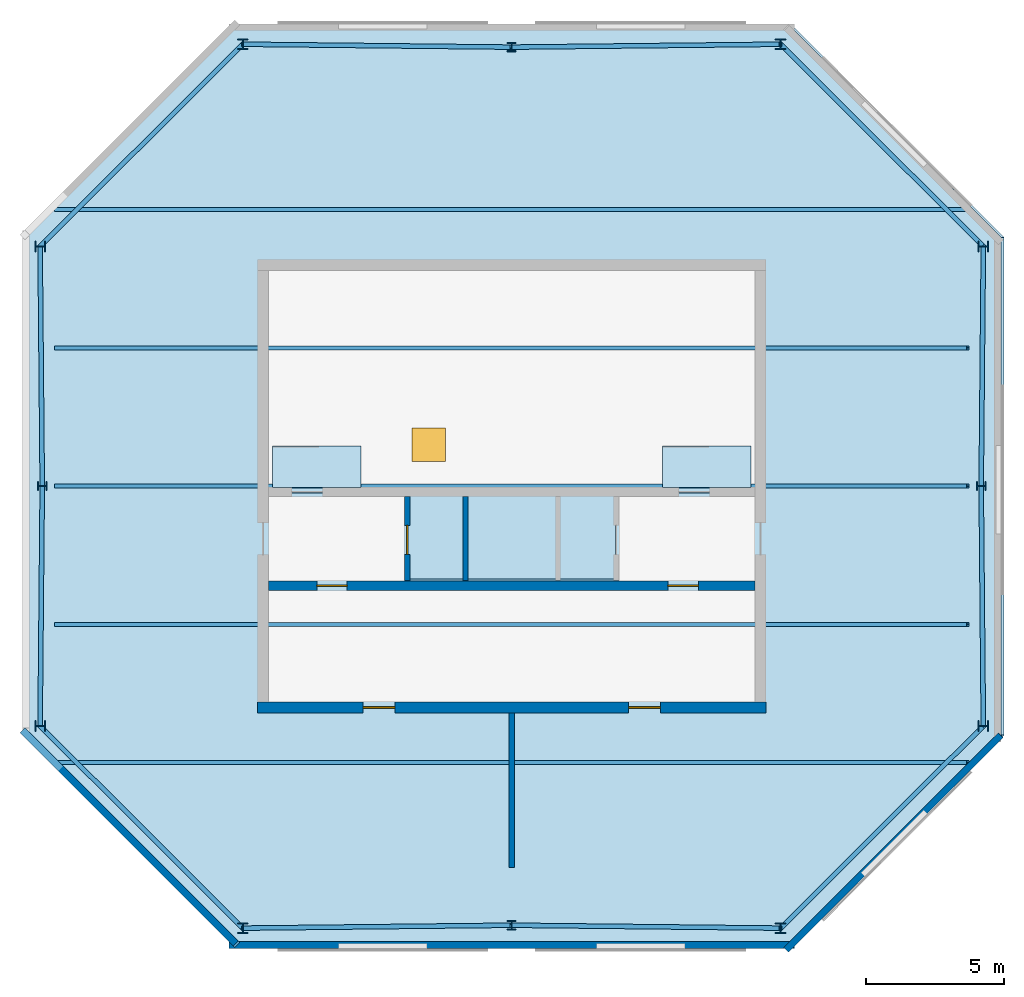
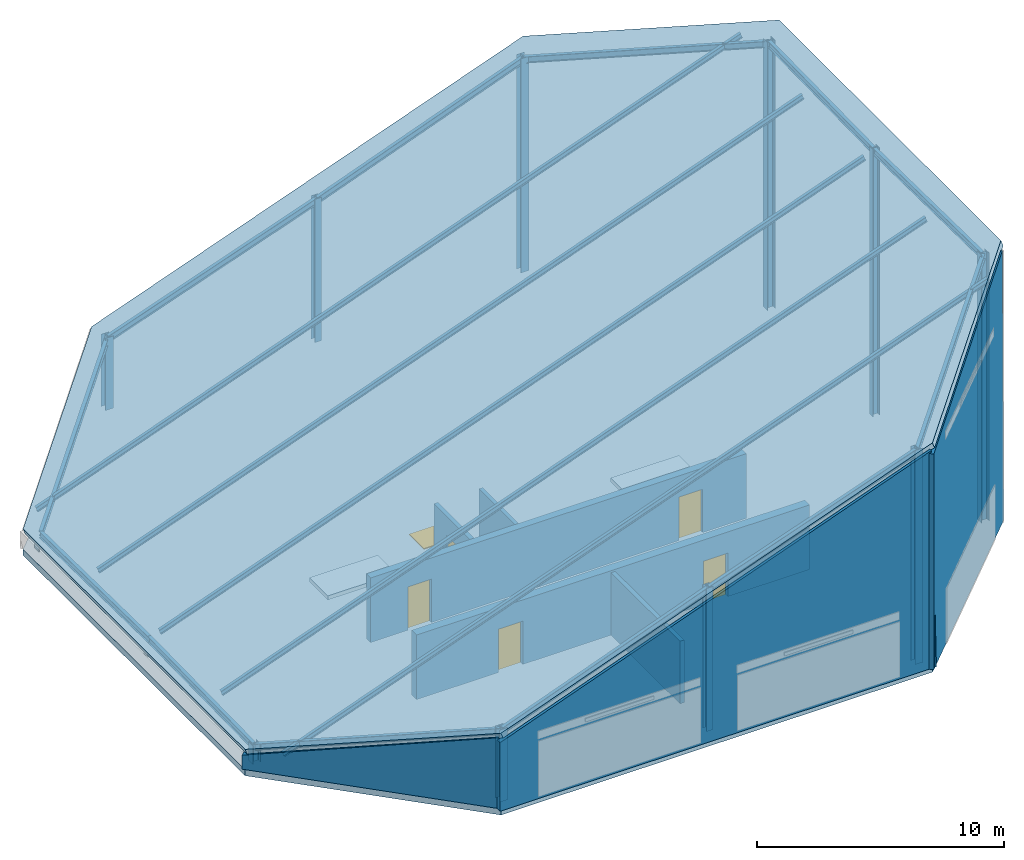
# One storey, part 1 of 3: 17 beams, 12 columns, 8 walls, 5 doors, 4 slabs, 1 window, 6 openings.
"""IFC4 building model written with IfcOpenShell, lengths in metres."""

from ifc_helpers import new_model, si_unit, direction, frame, frame_2d, origin, origin_2d, place, context, subcontext, project, spatial, polyline, rectangle, i_section, outline, extrude, material, layer, layer_set, material_profile, profile_set, type_object, element, fill, save


model = new_model("IFC4")

# Units and contexts
model_context = context("Model", 3, precision=1e-05, world=origin(), true_north=direction((0.0, 1.0)))
body_context = subcontext(model_context, "Body", "Model", "MODEL_VIEW")
ifc_project = project(units=[si_unit("LENGTHUNIT", "METRE"), si_unit("AREAUNIT", "SQUARE_METRE"), si_unit("VOLUMEUNIT", "CUBIC_METRE"), si_unit("PLANEANGLEUNIT", "RADIAN"), si_unit("MASSUNIT", "GRAM", prefix="KILO")], contexts=[model_context])

# Site, building, storey
site_placement = place(None, origin())
site = spatial("IfcSite", under=ifc_project, at=site_placement, CompositionType="ELEMENT")
building_placement = place(site_placement, origin())
building = spatial("IfcBuilding", under=site, at=building_placement, Name="Caelvoria Tower", CompositionType="ELEMENT")
storey_placement = place(building_placement, frame((0.0, 0.0, 290.199951171875)))
storey = spatial("IfcBuildingStorey", under=building, at=storey_placement, Name="C2", CompositionType="ELEMENT", Elevation=290.199951171875)

# Columns
ifc_material_1 = material(Name="Structural Steel ASTM A992 Gr.50", Category="steel")
ifc_material_profile_1 = material_profile(ifc_material_1, i_section(OverallWidth=0.373046875, OverallDepth=0.367919921875, WebThickness=0.014892578125, FlangeThickness=0.02392578125, FilletRadius=0.02001953125, at=origin_2d()), Name="Structural Steel ASTM A992 Gr.50")
ifc_profile_set_1 = profile_set([ifc_material_profile_1], Name="W360X179 - Structural Steel ASTM A992 Gr.50")
column_type_1 = type_object("IfcColumnType", Name="Crown Raker Post W360X179", PredefinedType="COLUMN", material=ifc_profile_set_1)
column_1_placement = place(storey_placement, frame((36.274169921875, 16.01513671875, 0.0), z_axis=(0.0, 0.0, 1.0), x_axis=(1.0, 0.0, 0.0)))
element("IfcColumn", 1, at=column_1_placement, inside=storey, type_object=column_type_1, Name="Crown Frame Column C2-P00", PredefinedType="COLUMN", context=body_context, shape_type="SweptSolid", body=[
    extrude(i_section(OverallWidth=0.373046875, OverallDepth=0.367919921875, WebThickness=0.014892578125, FlangeThickness=0.02392578125, FilletRadius=0.02001953125, at=origin_2d()), origin(), (0.0, 0.0, 1.0), 3.5732421875),
])
column_2_placement = place(storey_placement, frame((55.725830078125, 16.01513671875, 0.0), z_axis=(0.0, 0.0, 1.0), x_axis=(1.0, 0.0, 0.0)))
element("IfcColumn", 2, at=column_2_placement, inside=storey, type_object=column_type_1, Name="Crown Frame Column C2-P02", PredefinedType="COLUMN", context=body_context, shape_type="SweptSolid", body=[
    extrude(i_section(OverallWidth=0.373046875, OverallDepth=0.367919921875, WebThickness=0.014892578125, FlangeThickness=0.02392578125, FilletRadius=0.02001953125, at=origin_2d()), origin(), (0.0, 0.0, 1.0), 10.606689453125),
])
for number, where, z_axis, x_axis, name in (
    (3, (63.05810546875, 23.326416015625, 0.0), (0.0, 0.0, 1.0), (0.0, 1.0, 0.0), "Crown Frame Column C2-P03"),
    (4, (63.05810546875, 40.673583984375, 0.0), (0.0, 0.0, 1.0), (0.0, 1.0, 0.0), "Crown Frame Column C2-P05"),
):
    element("IfcColumn", number, at=place(storey_placement, frame(where, z_axis=z_axis, x_axis=x_axis)), inside=storey, type_object=column_type_1, Name=name, PredefinedType="COLUMN", context=body_context, shape_type="SweptSolid", body=[
        extrude(i_section(OverallWidth=0.373046875, OverallDepth=0.367919921875, WebThickness=0.014892578125, FlangeThickness=0.02392578125, FilletRadius=0.02001953125, at=origin_2d()), origin(), (0.0, 0.0, 1.0), 13.258056640625),
    ])
column_3_placement = place(storey_placement, frame((55.725830078125, 47.98486328125, 0.0), z_axis=(0.0, 0.0, 1.0), x_axis=(1.0, 0.0, 0.0)))
element("IfcColumn", 5, at=column_3_placement, inside=storey, type_object=column_type_1, Name="Crown Frame Column C2-P06", PredefinedType="COLUMN", context=body_context, shape_type="SweptSolid", body=[
    extrude(i_section(OverallWidth=0.373046875, OverallDepth=0.367919921875, WebThickness=0.014892578125, FlangeThickness=0.02392578125, FilletRadius=0.02001953125, at=origin_2d()), origin(), (0.0, 0.0, 1.0), 10.606689453125),
])
column_4_placement = place(storey_placement, frame((36.274169921875, 47.98486328125, 0.0), z_axis=(0.0, 0.0, 1.0), x_axis=(1.0, 0.0, 0.0)))
element("IfcColumn", 6, at=column_4_placement, inside=storey, type_object=column_type_1, Name="Crown Frame Column C2-P08", PredefinedType="COLUMN", context=body_context, shape_type="SweptSolid", body=[
    extrude(i_section(OverallWidth=0.373046875, OverallDepth=0.367919921875, WebThickness=0.014892578125, FlangeThickness=0.02392578125, FilletRadius=0.02001953125, at=origin_2d()), origin(), (0.0, 0.0, 1.0), 3.5732421875),
])
for number, where, z_axis, x_axis, name in (
    (7, (28.94189453125, 40.673583984375, 0.0), (0.0, 0.0, 1.0), (0.0, 1.0, 0.0), "Crown Frame Column C2-P09"),
    (8, (28.94189453125, 23.326416015625, 0.0), (0.0, 0.0, 1.0), (0.0, 1.0, 0.0), "Crown Frame Column C2-P11"),
):
    element("IfcColumn", number, at=place(storey_placement, frame(where, z_axis=z_axis, x_axis=x_axis)), inside=storey, type_object=column_type_1, Name=name, PredefinedType="COLUMN", context=body_context, shape_type="SweptSolid", body=[
        extrude(i_section(OverallWidth=0.373046875, OverallDepth=0.367919921875, WebThickness=0.014892578125, FlangeThickness=0.02392578125, FilletRadius=0.02001953125, at=origin_2d()), origin(), (0.0, 0.0, 1.0), 0.922119140625),
    ])
ifc_material_profile_2 = material_profile(ifc_material_1, i_section(OverallWidth=0.30908203125, OverallDepth=0.322998046875, WebThickness=0.013916015625, FlangeThickness=0.02294921875, FilletRadius=0.01806640625, at=origin_2d()), Name="Structural Steel ASTM A992 Gr.50")
ifc_profile_set_2 = profile_set([ifc_material_profile_2], Name="W310X143 - Structural Steel ASTM A992 Gr.50")
column_type_2 = type_object("IfcColumnType", Name="Crown Secondary Post W310X143", PredefinedType="COLUMN", material=ifc_profile_set_2)
column_5_placement = place(storey_placement, frame((46.0, 16.1201171875, 0.0), z_axis=(0.0, 0.0, 1.0), x_axis=(1.0, 0.0, 0.0)))
element("IfcColumn", 9, at=column_5_placement, inside=storey, type_object=column_type_2, Name="Crown Frame Column C2-P01", PredefinedType="COLUMN", context=body_context, shape_type="SweptSolid", body=[
    extrude(i_section(OverallWidth=0.30908203125, OverallDepth=0.322998046875, WebThickness=0.013916015625, FlangeThickness=0.02294921875, FilletRadius=0.01806640625, at=origin_2d()), origin(), (0.0, 0.0, 1.0), 7.090087890625),
])
column_6_placement = place(storey_placement, frame((62.97998046875, 32.0, 0.0), z_axis=(0.0, 0.0, 1.0), x_axis=(0.0, 1.0, 0.0)))
element("IfcColumn", 10, at=column_6_placement, inside=storey, type_object=column_type_2, Name="Crown Frame Column C2-P04", PredefinedType="COLUMN", context=body_context, shape_type="SweptSolid", body=[
    extrude(i_section(OverallWidth=0.30908203125, OverallDepth=0.322998046875, WebThickness=0.013916015625, FlangeThickness=0.02294921875, FilletRadius=0.01806640625, at=origin_2d()), origin(), (0.0, 0.0, 1.0), 13.229736328125),
])
column_7_placement = place(storey_placement, frame((46.0, 47.8798828125, 0.0), z_axis=(0.0, 0.0, 1.0), x_axis=(1.0, 0.0, 0.0)))
element("IfcColumn", 11, at=column_7_placement, inside=storey, type_object=column_type_2, Name="Crown Frame Column C2-P07", PredefinedType="COLUMN", context=body_context, shape_type="SweptSolid", body=[
    extrude(i_section(OverallWidth=0.30908203125, OverallDepth=0.322998046875, WebThickness=0.013916015625, FlangeThickness=0.02294921875, FilletRadius=0.01806640625, at=origin_2d()), origin(), (0.0, 0.0, 1.0), 7.090087890625),
])
column_8_placement = place(storey_placement, frame((29.02001953125, 32.0, 0.0), z_axis=(0.0, 0.0, 1.0), x_axis=(0.0, 1.0, 0.0)))
element("IfcColumn", 12, at=column_8_placement, inside=storey, type_object=column_type_2, Name="Crown Frame Column C2-P10", PredefinedType="COLUMN", context=body_context, shape_type="SweptSolid", body=[
    extrude(i_section(OverallWidth=0.30908203125, OverallDepth=0.322998046875, WebThickness=0.013916015625, FlangeThickness=0.02294921875, FilletRadius=0.01806640625, at=origin_2d()), origin(), (0.0, 0.0, 1.0), 0.950439453125),
])

# Beams
ifc_material_profile_3 = material_profile(ifc_material_1, i_section(OverallWidth=0.14697265625, OverallDepth=0.261962890625, WebThickness=0.006591796875, FlangeThickness=0.01123046875, FilletRadius=0.010986328125, at=origin_2d()), Name="Structural Steel ASTM A992 Gr.50")
ifc_profile_set_3 = profile_set([ifc_material_profile_3], Name="W250X38.5 - Structural Steel ASTM A992 Gr.50")
beam_type_1 = type_object("IfcBeamType", Name="Crown Purlin Beam W250X38.5", PredefinedType="BEAM", material=ifc_profile_set_3)
for number, where, z_axis, x_axis, name in (
    (13, (29.5, 22.0, 0.953857421875), (0.940410832157, 0.0, 0.340040389898), (0.0, 1.0, 0.0), "Crown Roof Purlin 01"),
    (14, (29.5, 27.0, 0.953857421875), (0.940410832157, 0.0, 0.340040389898), (0.0, 1.0, 0.0), "Crown Roof Purlin 02"),
    (15, (29.5, 32.0, 0.953857421875), (0.940410832157, 0.0, 0.340040389898), (0.0, 1.0, 0.0), "Crown Roof Purlin 03"),
    (16, (29.5, 37.0, 0.953857421875), (0.940410832157, 0.0, 0.340040389898), (0.0, 1.0, 0.0), "Crown Roof Purlin 04"),
    (17, (29.5, 42.0, 0.953857421875), (0.940410832157, 0.0, 0.340040389898), (0.0, 1.0, 0.0), "Crown Roof Purlin 05"),
):
    element("IfcBeam", number, at=place(storey_placement, frame(where, z_axis=z_axis, x_axis=x_axis)), inside=storey, type_object=beam_type_1, Name=name, PredefinedType="BEAM", context=body_context, shape_type="SweptSolid", body=[
        extrude(i_section(OverallWidth=0.14697265625, OverallDepth=0.261962890625, WebThickness=0.006591796875, FlangeThickness=0.01123046875, FilletRadius=0.010986328125, at=origin_2d()), origin(), (0.0, 0.0, 1.0), 35.091064453125),
    ])
ifc_material_profile_4 = material_profile(ifc_material_1, i_section(OverallWidth=0.166015625, OverallDepth=0.31298828125, WebThickness=0.006591796875, FlangeThickness=0.01123046875, FilletRadius=0.011962890625, at=origin_2d()), Name="Structural Steel ASTM A992 Gr.50")
ifc_profile_set_4 = profile_set([ifc_material_profile_4], Name="W310X44.5 - Structural Steel ASTM A992 Gr.50")
beam_type_2 = type_object("IfcBeamType", Name="Crown Sloped Raker Beam W310X44.5", PredefinedType="BEAM", material=ifc_profile_set_4)
beam_1_placement = place(storey_placement, frame((36.274169921875, 16.01513671875, 3.37841796875), z_axis=(0.940366490997, 0.01015030226, 0.340011520354), x_axis=(-0.010793356742, 0.999941750029, 0.0)))
element("IfcBeam", 18, at=beam_1_placement, inside=storey, type_object=beam_type_2, Name="Crown Sloped Ring Raker 00", PredefinedType="BEAM", context=body_context, shape_type="SweptSolid", body=[
    extrude(i_section(OverallWidth=0.166015625, OverallDepth=0.31298828125, WebThickness=0.006591796875, FlangeThickness=0.01123046875, FilletRadius=0.011962890625, at=origin_2d()), origin(), (0.0, 0.0, 1.0), 10.342529296875),
])
beam_2_placement = place(storey_placement, frame((46.0, 16.1201171875, 6.89501953125), z_axis=(0.940358943358, -0.010150220791, 0.340032396493), x_axis=(0.010793356742, 0.999941750029, 0.0)))
element("IfcBeam", 19, at=beam_2_placement, inside=storey, type_object=beam_type_2, Name="Crown Sloped Ring Raker 01", PredefinedType="BEAM", context=body_context, shape_type="SweptSolid", body=[
    extrude(i_section(OverallWidth=0.166015625, OverallDepth=0.31298828125, WebThickness=0.006591796875, FlangeThickness=0.01123046875, FilletRadius=0.011962890625, at=origin_2d()), origin(), (0.0, 0.0, 1.0), 10.3427734375),
])
beam_3_placement = place(storey_placement, frame((55.725830078125, 16.01513671875, 10.411865234375), z_axis=(0.685992199454, 0.684027849267, 0.248033472975), x_axis=(-0.706092197717, 0.708119910977, 0.0)))
element("IfcBeam", 20, at=beam_3_placement, inside=storey, type_object=beam_type_2, Name="Crown Sloped Ring Raker 02", PredefinedType="BEAM", context=body_context, shape_type="SweptSolid", body=[
    extrude(i_section(OverallWidth=0.166015625, OverallDepth=0.31298828125, WebThickness=0.006591796875, FlangeThickness=0.01123046875, FilletRadius=0.011962890625, at=origin_2d()), origin(), (0.0, 0.0, 1.0), 10.6884765625),
])
for number, where, z_axis, x_axis, name in (
    (21, (63.05810546875, 23.326416015625, 13.06298828125), (-0.00900682057, 0.999954107516, -0.003264972457), (-0.999959437337, -0.009006868577, 0.0), "Crown Sloped Ring Raker 03"),
    (22, (62.97998046875, 32.0, 13.03466796875), (0.00900682057, 0.999954107516, 0.003264972457), (-0.999959437337, 0.009006868577, 0.0), "Crown Sloped Ring Raker 04"),
):
    element("IfcBeam", number, at=place(storey_placement, frame(where, z_axis=z_axis, x_axis=x_axis)), inside=storey, type_object=beam_type_2, Name=name, PredefinedType="BEAM", context=body_context, shape_type="SweptSolid", body=[
        extrude(i_section(OverallWidth=0.166015625, OverallDepth=0.31298828125, WebThickness=0.006591796875, FlangeThickness=0.01123046875, FilletRadius=0.011962890625, at=origin_2d()), origin(), (0.0, 0.0, 1.0), 8.674072265625),
    ])
beam_4_placement = place(storey_placement, frame((63.05810546875, 40.673583984375, 13.06298828125), z_axis=(-0.685992199454, 0.684027849267, -0.248033472975), x_axis=(-0.706092197717, -0.708119910977, 0.0)))
element("IfcBeam", 23, at=beam_4_placement, inside=storey, type_object=beam_type_2, Name="Crown Sloped Ring Raker 05", PredefinedType="BEAM", context=body_context, shape_type="SweptSolid", body=[
    extrude(i_section(OverallWidth=0.166015625, OverallDepth=0.31298828125, WebThickness=0.006591796875, FlangeThickness=0.01123046875, FilletRadius=0.011962890625, at=origin_2d()), origin(), (0.0, 0.0, 1.0), 10.6884765625),
])
beam_5_placement = place(storey_placement, frame((55.725830078125, 47.98486328125, 10.411865234375), z_axis=(-0.940358943358, -0.010150220791, -0.340032396493), x_axis=(0.010793356742, -0.999941750029, 0.0)))
element("IfcBeam", 24, at=beam_5_placement, inside=storey, type_object=beam_type_2, Name="Crown Sloped Ring Raker 06", PredefinedType="BEAM", context=body_context, shape_type="SweptSolid", body=[
    extrude(i_section(OverallWidth=0.166015625, OverallDepth=0.31298828125, WebThickness=0.006591796875, FlangeThickness=0.01123046875, FilletRadius=0.011962890625, at=origin_2d()), origin(), (0.0, 0.0, 1.0), 10.3427734375),
])
beam_6_placement = place(storey_placement, frame((46.0, 47.8798828125, 6.89501953125), z_axis=(-0.940366490997, 0.01015030226, -0.340011520354), x_axis=(-0.010793356742, -0.999941750029, 0.0)))
element("IfcBeam", 25, at=beam_6_placement, inside=storey, type_object=beam_type_2, Name="Crown Sloped Ring Raker 07", PredefinedType="BEAM", context=body_context, shape_type="SweptSolid", body=[
    extrude(i_section(OverallWidth=0.166015625, OverallDepth=0.31298828125, WebThickness=0.006591796875, FlangeThickness=0.01123046875, FilletRadius=0.011962890625, at=origin_2d()), origin(), (0.0, 0.0, 1.0), 10.342529296875),
])
beam_7_placement = place(storey_placement, frame((36.274169921875, 47.98486328125, 3.37841796875), z_axis=(-0.685988312886, -0.684023973828, -0.248054908865), x_axis=(0.706092197717, -0.708119910977, 0.0)))
element("IfcBeam", 26, at=beam_7_placement, inside=storey, type_object=beam_type_2, Name="Crown Sloped Ring Raker 08", PredefinedType="BEAM", context=body_context, shape_type="SweptSolid", body=[
    extrude(i_section(OverallWidth=0.166015625, OverallDepth=0.31298828125, WebThickness=0.006591796875, FlangeThickness=0.01123046875, FilletRadius=0.011962890625, at=origin_2d()), origin(), (0.0, 0.0, 1.0), 10.688720703125),
])
for number, where, z_axis, x_axis, name in (
    (27, (28.94189453125, 40.673583984375, 0.72705078125), (0.00900682057, -0.999954107516, 0.003264972457), (0.999959437337, 0.009006868577, 0.0), "Crown Sloped Ring Raker 09"),
    (28, (29.02001953125, 32.0, 0.75537109375), (-0.00900682057, -0.999954107516, -0.003264972457), (0.999959437337, -0.009006868577, 0.0), "Crown Sloped Ring Raker 10"),
):
    element("IfcBeam", number, at=place(storey_placement, frame(where, z_axis=z_axis, x_axis=x_axis)), inside=storey, type_object=beam_type_2, Name=name, PredefinedType="BEAM", context=body_context, shape_type="SweptSolid", body=[
        extrude(i_section(OverallWidth=0.166015625, OverallDepth=0.31298828125, WebThickness=0.006591796875, FlangeThickness=0.01123046875, FilletRadius=0.011962890625, at=origin_2d()), origin(), (0.0, 0.0, 1.0), 8.674072265625),
    ])
beam_8_placement = place(storey_placement, frame((28.94189453125, 23.326416015625, 0.72705078125), z_axis=(0.685988312886, -0.684023973828, 0.248054908865), x_axis=(0.706092197717, 0.708119910977, 0.0)))
element("IfcBeam", 29, at=beam_8_placement, inside=storey, type_object=beam_type_2, Name="Crown Sloped Ring Raker 11", PredefinedType="BEAM", context=body_context, shape_type="SweptSolid", body=[
    extrude(i_section(OverallWidth=0.166015625, OverallDepth=0.31298828125, WebThickness=0.006591796875, FlangeThickness=0.01123046875, FilletRadius=0.011962890625, at=origin_2d()), origin(), (0.0, 0.0, 1.0), 10.688720703125),
])

# Slab, opening, window
ifc_material_2 = material(Name="Concrete C40/50", Category="concrete")
ifc_layer_1 = layer(ifc_material_2, 0.300048828125, Name="Concrete C40/50")
ifc_layer_set_1 = layer_set([ifc_layer_1], Name="Crown Equipment Deck Slab 300 - Concrete C40/50")
slab_type_1 = type_object("IfcSlabType", Name="Crown Equipment Deck Slab 300", PredefinedType="FLOOR", material=ifc_layer_set_1)
slab_1_placement = place(storey_placement, frame((0.0, 0.0, -0.300048828125)))
slab_1 = element("IfcSlab", 30, at=slab_1_placement, inside=storey, type_object=slab_type_1, Name="Crown Level C2 Floor Slab", PredefinedType="FLOOR", context=body_context, shape_type="SweptSolid", body=[
    extrude(outline(polyline([(35.89990234375, 15.39990234375), (56.10009765625, 15.39990234375), (63.699951171875, 23.0), (63.699951171875, 41.0), (56.10009765625, 48.60009765625), (35.89990234375, 48.60009765625), (28.300048828125, 41.0), (28.300048828125, 23.0), (35.89990234375, 15.39990234375)]), holes=[polyline([(37.080078125, 31.75), (40.820068359375, 31.75), (40.820068359375, 39.919921875), (37.080078125, 39.919921875), (37.080078125, 31.75)]), polyline([(51.179931640625, 31.75), (54.919921875, 31.75), (54.919921875, 39.919921875), (51.179931640625, 39.919921875), (51.179931640625, 31.75)]), polyline([(42.25, 28.64990234375), (49.75, 28.64990234375), (49.75, 31.800048828125), (42.25, 31.800048828125), (42.25, 28.64990234375)])]), origin(), (0.0, 0.0, 1.0), 0.300048828125),
])
opening_1_placement = place(slab_1_placement, frame((43.0, 33.5, 0.0)))
opening_1 = element("IfcOpeningElement", 31, at=opening_1_placement, cuts=slab_1, Name="Opening SK-02", PredefinedType="OPENING", context=body_context, shape_type="SweptSolid", body=[
    extrude(rectangle(XDim=1.199951171875, YDim=1.199951171875, at=origin_2d()), origin(), (0.0, 0.0, 1.0), 0.300048828125),
])
ifc_material_3 = material(Name="Low-E Tinted Glass in Bronze Aluminium Frame", Category="aluminium")
window_type = type_object("IfcWindowType", Name="Crown Roof Maintenance Hatch Skylight 1200x1200", PartitioningType="SINGLE_PANEL", PredefinedType="SKYLIGHT", material=ifc_material_3)
window_placement = place(opening_1_placement, frame((0.0, 0.0, 0.25)))
window = element("IfcWindow", 32, at=window_placement, inside=storey, type_object=window_type, Name="Crown Equipment Deck Access Hatch", OverallHeight=1.199951171875, OverallWidth=1.199951171875, PartitioningType="SINGLE_PANEL", PredefinedType="SKYLIGHT", context=body_context, shape_type="SweptSolid", body=[
    extrude(rectangle(XDim=1.199951171875, YDim=1.199951171875, at=origin_2d()), origin(), (0.0, 0.0, 1.0), 0.050048828125),
])
fill(opening_1, window)

# Slabs
ifc_material_4 = material(Name="Concrete C45/55", Category="concrete")
ifc_layer_2 = layer(ifc_material_4, 0.31005859375, Name="Concrete C45/55")
ifc_layer_set_2 = layer_set([ifc_layer_2], Name="Slanted Crown Roof Closure Slab 310 - Concrete C45/55")
slab_type_2 = type_object("IfcSlabType", Name="Slanted Crown Roof Closure Slab 310", PredefinedType="ROOF", material=ifc_layer_set_2)
slab_2_placement = place(storey_placement, frame((35.89990234375, 15.39990234375, 3.748046875), z_axis=(-0.340037384962, 0.0, 0.940411918698), x_axis=(0.940411918698, 0.0, 0.340037384962)))
element("IfcSlab", 33, at=slab_2_placement, inside=storey, type_object=slab_type_2, Name="Slanted Crown Roof Slab", PredefinedType="ROOF", context=body_context, shape_type="SweptSolid", body=[
    extrude(outline(polyline([(0.0, 0.0), (21.480122216536746, 0.0), (29.561553716113153, 7.60009765625), (29.561553716113153, 25.60009765625), (21.480122216536746, 33.2001953125), (0.0, 33.2001953125), (-8.081431499576404, 25.60009765625), (-8.081431499576404, 7.60009765625), (0.0, 0.0)])), origin(), (0.0, 0.0, -1.0), 0.31005859375),
])
ifc_layer_3 = layer(ifc_material_2, 0.199951171875, Name="Concrete C40/50")
ifc_layer_set_3 = layer_set([ifc_layer_3], Name="Stair Half and Floor Landing Slab 200 Concrete C40/50 - Concrete C40/50")
slab_type_3 = type_object("IfcSlabType", Name="Stair Half and Floor Landing Slab 200 Concrete C40/50", PredefinedType="LANDING", material=ifc_layer_set_3)
slab_3_placement = place(storey_placement, frame((0.0, 0.0, -0.199951171875)))
element("IfcSlab", 34, at=slab_3_placement, inside=storey, type_object=slab_type_3, Name="Top Arrival Landing C2 ST1", PredefinedType="LANDING", context=body_context, shape_type="SweptSolid", body=[
    extrude(outline(polyline([(37.35009765625, 31.949951171875), (40.550048828125, 31.949951171875), (40.550048828125, 33.449951171875), (37.35009765625, 33.449951171875), (37.35009765625, 31.949951171875)])), origin(), (0.0, 0.0, 1.0), 0.199951171875),
])
slab_4_placement = place(storey_placement, frame((0.0, 0.0, -0.199951171875)))
element("IfcSlab", 35, at=slab_4_placement, inside=storey, type_object=slab_type_3, Name="Top Arrival Landing C2 ST2", PredefinedType="LANDING", context=body_context, shape_type="SweptSolid", body=[
    extrude(outline(polyline([(51.449951171875, 31.949951171875), (54.64990234375, 31.949951171875), (54.64990234375, 33.449951171875), (51.449951171875, 33.449951171875), (51.449951171875, 31.949951171875)])), origin(), (0.0, 0.0, 1.0), 0.199951171875),
])

# Wall, openings, doors
ifc_material_5 = material(Name="Concrete C50/60", Category="concrete")
ifc_layer_4 = layer(ifc_material_5, 0.35009765625, Name="Concrete C50/60")
ifc_layer_set_4 = layer_set([ifc_layer_4], Name="Core Internal Shear Wall 350 - Concrete C50/60")
wall_type_1 = type_object("IfcWallType", Name="Core Internal Shear Wall 350", PredefinedType="SHEAR", material=ifc_layer_set_4)
wall_1_placement = place(storey_placement, frame((37.199951171875, 28.39990234375, 0.0), z_axis=(0.0, 0.0, 1.0), x_axis=(1.0, 0.0, 0.0)))
wall_1 = element("IfcWall", 36, at=wall_1_placement, inside=storey, type_object=wall_type_1, Name="Core Shear Wall C2 M2", PredefinedType="SHEAR", context=body_context, shape_type="SweptSolid", body=[
    extrude(rectangle(XDim=17.60009765625, YDim=0.35009765625, at=frame_2d((8.800048828125, 0.0))), origin(), (0.0, 0.0, 1.0), 3.199951171875),
])
opening_2_placement = place(wall_1_placement, frame((1.75, 0.0, 0.0)))
opening_2 = element("IfcOpeningElement", 37, at=opening_2_placement, cuts=wall_1, Name="Opening ID-01", PredefinedType="OPENING", context=body_context, shape_type="SweptSolid", body=[
    extrude(rectangle(XDim=1.10009765625, YDim=2.14990234375, at=frame_2d((0.550048828125, 1.074951171875))), frame((0.0, 0.18505859375, 0.0), z_axis=(0.0, -1.0, 0.0), x_axis=(1.0, 0.0, 0.0)), (0.0, 0.0, 1.0), 0.3701171875),
])
opening_3_placement = place(wall_1_placement, frame((14.449951171875, 0.0, 0.0)))
opening_3 = element("IfcOpeningElement", 38, at=opening_3_placement, cuts=wall_1, Name="Opening ID-01", PredefinedType="OPENING", context=body_context, shape_type="SweptSolid", body=[
    extrude(rectangle(XDim=1.10009765625, YDim=2.14990234375, at=frame_2d((0.550048828125, 1.074951171875))), frame((0.0, 0.18505859375, 0.0), z_axis=(0.0, -1.0, 0.0), x_axis=(1.0, 0.0, 0.0)), (0.0, 0.0, 1.0), 0.3701171875),
])
ifc_material_6 = material(Name="Painted Hollow Steel Fire Door", Category="steel")
door_type_1 = type_object("IfcDoorType", Name="Fire Door FD90S 1100x2150", OperationType="NOTDEFINED", PredefinedType="DOOR", material=ifc_material_6)
door_1_placement = place(opening_2_placement, origin())
door_1 = element("IfcDoor", 39, at=door_1_placement, inside=storey, type_object=door_type_1, Name="Core Door DR-C2-FFW-M2", OperationType="SINGLE_SWING_LEFT", OverallHeight=2.14990234375, OverallWidth=1.10009765625, PredefinedType="DOOR", context=body_context, shape_type="SweptSolid", body=[
    extrude(rectangle(XDim=1.10009765625, YDim=2.14990234375, at=frame_2d((0.550048828125, 1.074951171875))), frame((0.0, 0.02490234375, 0.0), z_axis=(0.0, -1.0, 0.0), x_axis=(1.0, 0.0, 0.0)), (0.0, 0.0, 1.0), 0.050048828125),
])
fill(opening_2, door_1)
door_2_placement = place(opening_3_placement, origin())
door_2 = element("IfcDoor", 40, at=door_2_placement, inside=storey, type_object=door_type_1, Name="Core Door DR-C2-FFE-M2", OperationType="SINGLE_SWING_RIGHT", OverallHeight=2.14990234375, OverallWidth=1.10009765625, PredefinedType="DOOR", context=body_context, shape_type="SweptSolid", body=[
    extrude(rectangle(XDim=1.10009765625, YDim=2.14990234375, at=frame_2d((0.550048828125, 1.074951171875))), frame((0.0, 0.02490234375, 0.0), z_axis=(0.0, -1.0, 0.0), x_axis=(1.0, 0.0, 0.0)), (0.0, 0.0, 1.0), 0.050048828125),
])
fill(opening_3, door_2)

# Walls
ifc_material_7 = material(Name="Precast Concrete C40/50 with Bronze Screen", Category="concrete")
ifc_layer_5 = layer(ifc_material_7, 0.25, Name="Precast Concrete C40/50 with Bronze Screen")
ifc_layer_set_5 = layer_set([ifc_layer_5], Name="Crown Sloped Closure Facade Wall 250 - Precast Concrete C40/50 with Bronze Screen")
wall_type_2 = type_object("IfcWallType", Name="Crown Sloped Closure Facade Wall 250", PredefinedType="STANDARD", material=ifc_layer_set_5)
wall_2_placement = place(storey_placement, frame((35.780029296875, 15.39990234375, 0.0), z_axis=(0.0, 0.0, 1.0), x_axis=(1.0, 0.0, 0.0)))
element("IfcWall", 41, at=wall_2_placement, inside=storey, type_object=wall_type_2, Name="Crown Sloped Facade Wall E0", PredefinedType="STANDARD", context=body_context, shape_type="SweptSolid", body=[
    extrude(outline(polyline([(0.0, 0.0), (20.43994140625, 0.0), (20.199951171875, 10.785400390625), (0.0, 3.39453125), (0.0, 0.0)])), frame((0.0, 0.125, 0.0), z_axis=(0.0, -1.0, 0.0), x_axis=(1.0, 0.0, 0.0)), (0.0, 0.0, 1.0), 0.25),
])
wall_3_placement = place(storey_placement, frame((55.9267578125, 15.226806640625, 0.0), z_axis=(0.0, 0.0, 1.0), x_axis=(0.707106781187, 0.707106781187, 0.0)))
element("IfcWall", 42, at=wall_3_placement, inside=storey, type_object=wall_type_2, Name="Crown Sloped Facade Wall E1", PredefinedType="STANDARD", context=body_context, shape_type="SweptSolid", body=[
    extrude(outline(polyline([(0.0, 0.0), (10.988037109375, 0.0), (10.748046875, 13.48876953125), (0.0, 10.679443359375), (0.0, 0.0)])), frame((0.0, 0.125, 0.0), z_axis=(0.0, -1.0, 0.0), x_axis=(1.0, 0.0, 0.0)), (0.0, 0.0, 1.0), 0.25),
])
wall_4_placement = place(storey_placement, frame((28.303466796875, 23.173095703125, 0.0), z_axis=(0.0, 0.0, 1.0), x_axis=(0.707117890571, -0.707095671627, 0.0)))
element("IfcWall", 43, at=wall_4_placement, inside=storey, type_object=wall_type_2, Name="Crown Sloped Facade Wall E7", PredefinedType="STANDARD", context=body_context, shape_type="SweptSolid", body=[
    extrude(outline(polyline([(0.0, 0.0), (10.988037109375, 0.0), (10.748046875, 3.500732421875), (0.0, 0.69140625), (0.0, 0.0)])), frame((0.0, 0.125, 0.0), z_axis=(0.0, -1.0, 0.0), x_axis=(1.0, 0.0, 0.0)), (0.0, 0.0, 1.0), 0.25),
])
ifc_material_8 = material(Name="Concrete Block and Fireboard Assembly", Category="concrete")
ifc_layer_6 = layer(ifc_material_8, 0.179931640625, Name="Concrete Block and Fireboard Assembly")
ifc_layer_set_6 = layer_set([ifc_layer_6], Name="Fire-Rated Hoistway Partition Wall 180 - Concrete Block and Fireboard Assembly")
wall_type_3 = type_object("IfcWallType", Name="Fire-Rated Hoistway Partition Wall 180", PredefinedType="PARTITIONING", material=ifc_layer_set_6)
wall_5_placement = place(storey_placement, frame((44.320068359375, 28.580078125, 0.0), z_axis=(0.0, 0.0, 1.0), x_axis=(0.0, 1.0, 0.0)))
element("IfcWall", 44, at=wall_5_placement, inside=storey, type_object=wall_type_3, Name="Interior Partition IW-C2-SV1W", PredefinedType="PARTITIONING", context=body_context, shape_type="SweptSolid", body=[
    extrude(rectangle(XDim=3.0400390625, YDim=0.179931640625, at=frame_2d((1.52001953125, 0.0))), origin(), (0.0, 0.0, 1.0), 3.10009765625),
])

# Wall, opening, door
ifc_layer_7 = layer(ifc_material_8, 0.199951171875, Name="Concrete Block and Fireboard Assembly")
ifc_layer_set_7 = layer_set([ifc_layer_7], Name="Fire-Rated Shaft and Core Partition Wall 200 - Concrete Block and Fireboard Assembly")
wall_type_4 = type_object("IfcWallType", Name="Fire-Rated Shaft and Core Partition Wall 200", PredefinedType="PARTITIONING", material=ifc_layer_set_7)
wall_6_placement = place(storey_placement, frame((42.219970703125, 28.580078125, 0.0), z_axis=(0.0, 0.0, 1.0), x_axis=(0.0, 1.0, 0.0)))
wall_6 = element("IfcWall", 45, at=wall_6_placement, inside=storey, type_object=wall_type_4, Name="Interior Partition IW-C2-LF1W", PredefinedType="PARTITIONING", context=body_context, shape_type="SweptSolid", body=[
    extrude(rectangle(XDim=3.0400390625, YDim=0.199951171875, at=frame_2d((1.52001953125, 0.0))), origin(), (0.0, 0.0, 1.0), 3.10009765625),
])
opening_4_placement = place(wall_6_placement, frame((0.949951171875, 0.0, 0.0)))
opening_4 = element("IfcOpeningElement", 46, at=opening_4_placement, cuts=wall_6, Name="Opening LD-01", PredefinedType="OPENING", context=body_context, shape_type="SweptSolid", body=[
    extrude(rectangle(XDim=1.050048828125, YDim=2.14990234375, at=frame_2d((0.52490234375, 1.074951171875))), frame((0.0, 0.10986328125, 0.0), z_axis=(0.0, -1.0, 0.0), x_axis=(1.0, 0.0, 0.0)), (0.0, 0.0, 1.0), 0.219970703125),
])
ifc_material_9 = material(Name="Brushed Bronze Stainless Sliding Landing Door", Category="aluminium")
door_type_2 = type_object("IfcDoorType", Name="Lift Landing Sliding Door 1100x2150", OperationType="NOTDEFINED", PredefinedType="DOOR", material=ifc_material_9)
door_3_placement = place(opening_4_placement, origin())
door_3 = element("IfcDoor", 47, at=door_3_placement, inside=storey, type_object=door_type_2, Name="Interior Door LD-C2-LF1", OperationType="SLIDING_TO_LEFT", OverallHeight=2.14990234375, OverallWidth=1.050048828125, PredefinedType="DOOR", context=body_context, shape_type="SweptSolid", body=[
    extrude(rectangle(XDim=1.050048828125, YDim=2.14990234375, at=frame_2d((0.52490234375, 1.074951171875))), frame((0.0, 0.02490234375, 0.0), z_axis=(0.0, -1.0, 0.0), x_axis=(1.0, 0.0, 0.0)), (0.0, 0.0, 1.0), 0.050048828125),
])
fill(opening_4, door_3)

# Wall
wall_7_placement = place(storey_placement, frame((46.0, 18.199951171875, 0.0), z_axis=(0.0, 0.0, 1.0), x_axis=(0.0, 1.0, 0.0)))
element("IfcWall", 48, at=wall_7_placement, inside=storey, type_object=wall_type_4, Name="Interior Partition IW-C2-PSEP", PredefinedType="PARTITIONING", context=body_context, shape_type="SweptSolid", body=[
    extrude(rectangle(XDim=5.60009765625, YDim=0.199951171875, at=frame_2d((2.800048828125, 0.0))), origin(), (0.0, 0.0, 1.0), 3.10009765625),
])

# Wall, openings, doors
ifc_layer_8 = layer(ifc_material_5, 0.39990234375, Name="Concrete C50/60")
ifc_layer_set_8 = layer_set([ifc_layer_8], Name="Summit Core Shear Wall 400 - Concrete C50/60")
wall_type_5 = type_object("IfcWallType", Name="Summit Core Shear Wall 400", PredefinedType="SHEAR", material=ifc_layer_set_8)
wall_8_placement = place(storey_placement, frame((36.800048828125, 24.0, 0.0), z_axis=(0.0, 0.0, 1.0), x_axis=(1.0, 0.0, 0.0)))
wall_8 = element("IfcWall", 49, at=wall_8_placement, inside=storey, type_object=wall_type_5, Name="Core Shear Wall C2 S", PredefinedType="SHEAR", context=body_context, shape_type="SweptSolid", body=[
    extrude(rectangle(XDim=18.39990234375, YDim=0.39990234375, at=frame_2d((9.199951171875, 0.0))), origin(), (0.0, 0.0, 1.0), 3.199951171875),
])
opening_5_placement = place(wall_8_placement, frame((3.824951171875, 0.0, 0.0)))
opening_5 = element("IfcOpeningElement", 50, at=opening_5_placement, cuts=wall_8, Name="Opening ID-02", PredefinedType="OPENING", context=body_context, shape_type="SweptSolid", body=[
    extrude(rectangle(XDim=1.14990234375, YDim=2.14990234375, at=frame_2d((0.574951171875, 1.074951171875))), frame((0.0, 0.2099609375, 0.0), z_axis=(0.0, -1.0, 0.0), x_axis=(1.0, 0.0, 0.0)), (0.0, 0.0, 1.0), 0.419921875),
])
opening_6_placement = place(wall_8_placement, frame((13.425048828125, 0.0, 0.0)))
opening_6 = element("IfcOpeningElement", 51, at=opening_6_placement, cuts=wall_8, Name="Opening ID-02", PredefinedType="OPENING", context=body_context, shape_type="SweptSolid", body=[
    extrude(rectangle(XDim=1.14990234375, YDim=2.14990234375, at=frame_2d((0.574951171875, 1.074951171875))), frame((0.0, 0.2099609375, 0.0), z_axis=(0.0, -1.0, 0.0), x_axis=(1.0, 0.0, 0.0)), (0.0, 0.0, 1.0), 0.419921875),
])
door_type_3 = type_object("IfcDoorType", Name="Fire Door FD60S 1150x2150", OperationType="NOTDEFINED", PredefinedType="DOOR", material=ifc_material_6)
door_4_placement = place(opening_5_placement, origin())
door_4 = element("IfcDoor", 52, at=door_4_placement, inside=storey, type_object=door_type_3, Name="Core Door DR-C2-PLT1", OperationType="SINGLE_SWING_LEFT", OverallHeight=2.14990234375, OverallWidth=1.14990234375, PredefinedType="DOOR", context=body_context, shape_type="SweptSolid", body=[
    extrude(rectangle(XDim=1.14990234375, YDim=2.14990234375, at=frame_2d((0.574951171875, 1.074951171875))), frame((0.0, 0.02490234375, 0.0), z_axis=(0.0, -1.0, 0.0), x_axis=(1.0, 0.0, 0.0)), (0.0, 0.0, 1.0), 0.050048828125),
])
fill(opening_5, door_4)
door_5_placement = place(opening_6_placement, origin())
door_5 = element("IfcDoor", 53, at=door_5_placement, inside=storey, type_object=door_type_3, Name="Core Door DR-C2-PLT2", OperationType="SINGLE_SWING_RIGHT", OverallHeight=2.14990234375, OverallWidth=1.14990234375, PredefinedType="DOOR", context=body_context, shape_type="SweptSolid", body=[
    extrude(rectangle(XDim=1.14990234375, YDim=2.14990234375, at=frame_2d((0.574951171875, 1.074951171875))), frame((0.0, 0.02490234375, 0.0), z_axis=(0.0, -1.0, 0.0), x_axis=(1.0, 0.0, 0.0)), (0.0, 0.0, 1.0), 0.050048828125),
])
fill(opening_6, door_5)

save(model, "model.ifc")
